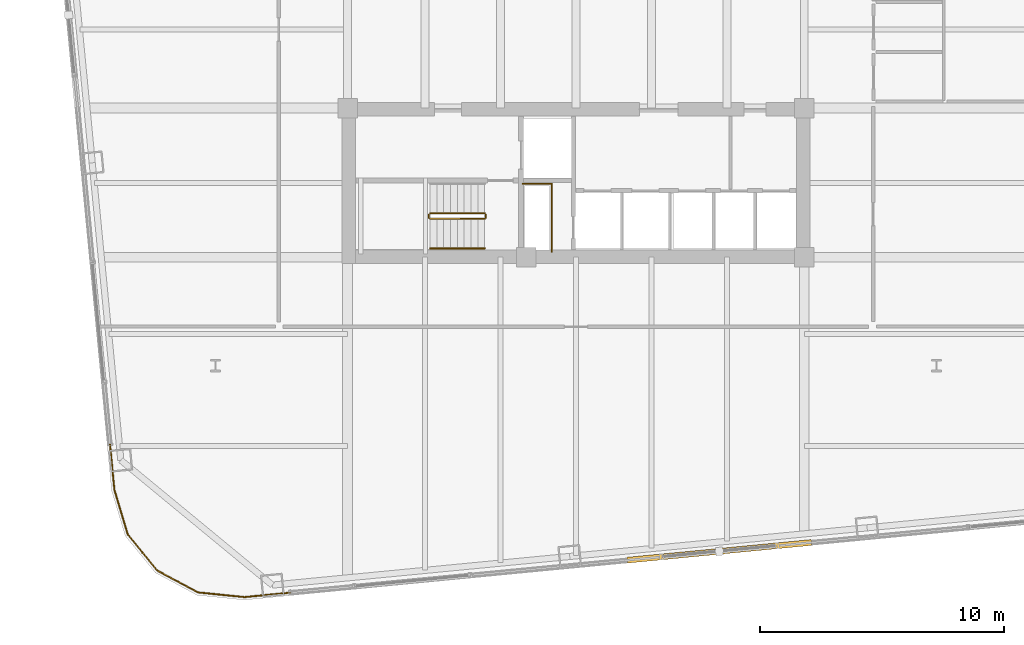
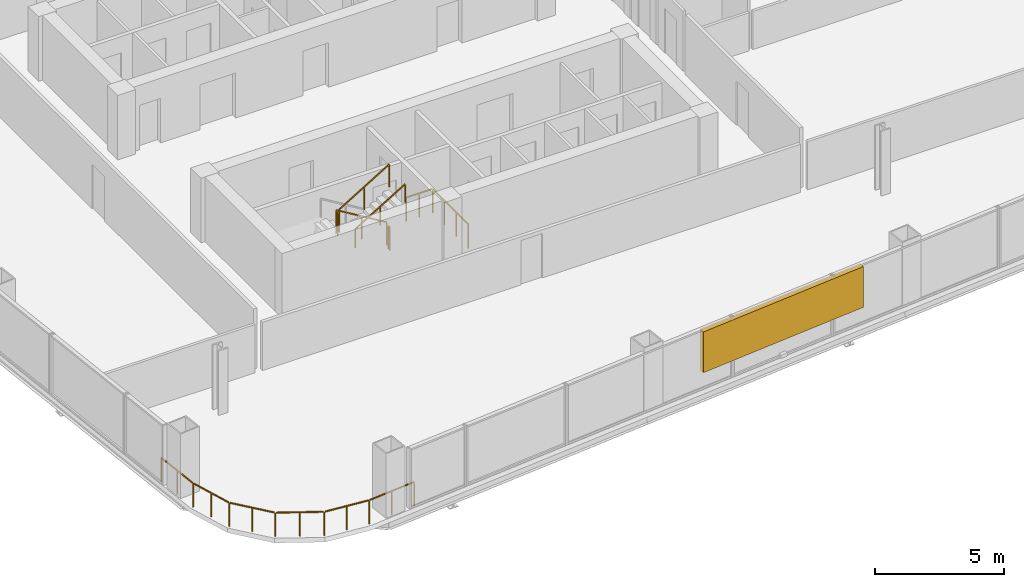
# One storey, part 25 of 27: 7 railings, 1 shading device.
"""IFC4 building model written with IfcOpenShell, lengths in metres."""

from ifc_helpers import new_model, si_unit, direction, frame, origin, origin_2d, place, context, subcontext, project, spatial, rectangle, extrude, material, type_object, element, save


model = new_model("IFC4")

# Units and contexts
model_context = context("Model", 3, precision=1e-05, world=origin(), true_north=direction((0.0, 1.0)))
body_context = subcontext(model_context, "Body", "Model", "MODEL_VIEW")
ifc_project = project(units=[si_unit("LENGTHUNIT", "METRE"), si_unit("AREAUNIT", "SQUARE_METRE"), si_unit("VOLUMEUNIT", "CUBIC_METRE"), si_unit("PLANEANGLEUNIT", "RADIAN"), si_unit("MASSUNIT", "GRAM", prefix="KILO")], contexts=[model_context])

# Site, building, storey
site_placement = place(None, origin())
site = spatial("IfcSite", under=ifc_project, at=site_placement, CompositionType="ELEMENT")
building_placement = place(site_placement, origin())
building = spatial("IfcBuilding", under=site, at=building_placement, Name="Qhalaya Broadcast Tower", CompositionType="ELEMENT")
storey_placement = place(building_placement, frame((0.0, 0.0, 75.550048828125)))
storey = spatial("IfcBuildingStorey", under=building, at=storey_placement, Name="L21", CompositionType="ELEMENT", Elevation=75.550048828125)

# Railings
ifc_material_1 = material(Name="Powder-Coated Galvanised Steel", Category="steel")
railing_type_1 = type_object("IfcRailingType", Name="Stair Wall Handrail 900", PredefinedType="HANDRAIL", material=ifc_material_1)
railing_1_placement = place(storey_placement, frame((-5.989990234375, -8.389892578125, 1.6943359375)))
element("IfcRailing", 1, at=railing_1_placement, inside=storey, type_object=railing_type_1, Name="L21 ST-2 Stair Handrail 2", PredefinedType="HANDRAIL", context=body_context, shape_type="SweptSolid", body=[
    extrude(rectangle(XDim=0.048095703125, YDim=0.048095703125, at=origin_2d()), frame((0.0, 0.0, 0.8759765625), z_axis=(0.855512035549, 0.0, 0.517782924622), x_axis=(0.0, 1.0, 0.0)), (0.0, 0.0, 1.0), 2.618408203125),
    extrude(rectangle(XDim=0.0419921875, YDim=0.0419921875, at=origin_2d()), origin(), (0.0, 0.0, 1.0), 0.849853515625),
    extrude(rectangle(XDim=0.0419921875, YDim=0.0419921875, at=origin_2d()), frame((1.1201171875, 0.0, 0.677734375)), (0.0, 0.0, 1.0), 0.849853515625),
    extrude(rectangle(XDim=0.0419921875, YDim=0.0419921875, at=origin_2d()), frame((2.239990234375, 0.0, 1.355712890625)), (0.0, 0.0, 1.0), 0.849853515625),
])
railing_type_2 = type_object("IfcRailingType", Name="Stair Well & Landing Guardrail 1100", PredefinedType="GUARDRAIL", material=ifc_material_1)
railing_2_placement = place(storey_placement, frame((-1.0, -8.52001953125, 0.0)))
element("IfcRailing", 2, at=railing_2_placement, inside=storey, type_object=railing_type_2, Name="L21 Service Riser Opening Safety Guard SRSR", PredefinedType="GUARDRAIL", context=body_context, shape_type="SweptSolid", body=[
    extrude(rectangle(XDim=0.048095703125, YDim=0.048095703125, at=origin_2d()), frame((0.0, 0.0, 1.1259765625), z_axis=(0.0, 1.0, 0.0), x_axis=(-1.0, 0.0, 0.0)), (0.0, 0.0, 1.0), 2.751220703125),
    extrude(rectangle(XDim=0.048095703125, YDim=0.048095703125, at=origin_2d()), frame((-0.02880859375, 2.780029296875, 1.1259765625), z_axis=(-1.0, 0.0, 0.0), x_axis=(0.0, -1.0, 0.0)), (0.0, 0.0, 1.0), 1.151123046875),
    extrude(rectangle(XDim=0.0419921875, YDim=0.0419921875, at=origin_2d()), origin(), (0.0, 0.0, 1.0), 1.099853515625),
    extrude(rectangle(XDim=0.0419921875, YDim=0.0419921875, at=origin_2d()), frame((0.0, 0.9267578125, 0.0)), (0.0, 0.0, 1.0), 1.099853515625),
    extrude(rectangle(XDim=0.0419921875, YDim=0.0419921875, at=origin_2d()), frame((0.0, 1.853271484375, 0.0)), (0.0, 0.0, 1.0), 1.099853515625),
    extrude(rectangle(XDim=0.0419921875, YDim=0.0419921875, at=origin_2d()), frame((0.0, 2.780029296875, 0.0)), (0.0, 0.0, 1.0), 1.099853515625),
    extrude(rectangle(XDim=0.0419921875, YDim=0.0419921875, at=origin_2d()), frame((-0.58984375, 2.780029296875, 0.0)), (0.0, 0.0, 1.0), 1.099853515625),
    extrude(rectangle(XDim=0.0419921875, YDim=0.0419921875, at=origin_2d()), frame((-1.179931640625, 2.780029296875, 0.0)), (0.0, 0.0, 1.0), 1.099853515625),
])
railing_3_placement = place(storey_placement, frame((-3.75, -6.949951171875, 0.16943359375)))
element("IfcRailing", 3, at=railing_3_placement, inside=storey, type_object=railing_type_2, Name="L21 ST-2 Stair Guard 1", PredefinedType="GUARDRAIL", context=body_context, shape_type="SweptSolid", body=[
    extrude(rectangle(XDim=0.048095703125, YDim=0.048095703125, at=origin_2d()), frame((0.0, 0.0, 1.076171875), z_axis=(-0.855553338991, 0.0, 0.51771467445), x_axis=(0.0, -1.0, 0.0)), (0.0, 0.0, 1.0), 2.6181640625),
    extrude(rectangle(XDim=0.0419921875, YDim=0.0419921875, at=origin_2d()), origin(), (0.0, 0.0, 1.0), 1.050048828125),
    extrude(rectangle(XDim=0.0419921875, YDim=0.0419921875, at=origin_2d()), frame((-1.1201171875, 0.0, 0.677734375)), (0.0, 0.0, 1.0), 1.050048828125),
    extrude(rectangle(XDim=0.0419921875, YDim=0.0419921875, at=origin_2d()), frame((-2.239990234375, 0.0, 1.35546875)), (0.0, 0.0, 1.0), 1.050048828125),
])
railing_4_placement = place(storey_placement, frame((-6.0400390625, -7.0, 1.52490234375)))
element("IfcRailing", 4, at=railing_4_placement, inside=storey, type_object=railing_type_2, Name="L21 ST-2 Stair Guard 2", PredefinedType="GUARDRAIL", context=body_context, shape_type="SweptSolid", body=[
    extrude(rectangle(XDim=0.048095703125, YDim=0.048095703125, at=origin_2d()), frame((0.0, 0.0, 1.076171875), z_axis=(0.0, -1.0, 0.0), x_axis=(1.0, 0.0, 0.0)), (0.0, 0.0, 1.0), 0.1201171875),
    extrude(rectangle(XDim=0.0419921875, YDim=0.0419921875, at=origin_2d()), origin(), (0.0, 0.0, 1.0), 1.050048828125),
    extrude(rectangle(XDim=0.0419921875, YDim=0.0419921875, at=origin_2d()), frame((0.0, -0.1201171875, 0.0)), (0.0, 0.0, 1.0), 1.050048828125),
])
railing_5_placement = place(storey_placement, frame((-5.989990234375, -7.169921875, 1.6943359375)))
element("IfcRailing", 5, at=railing_5_placement, inside=storey, type_object=railing_type_2, Name="L21 ST-2 Stair Guard 3", PredefinedType="GUARDRAIL", context=body_context, shape_type="SweptSolid", body=[
    extrude(rectangle(XDim=0.048095703125, YDim=0.048095703125, at=origin_2d()), frame((0.0, 0.0, 1.076171875), z_axis=(0.855512035549, 0.0, 0.517782924622), x_axis=(0.0, 1.0, 0.0)), (0.0, 0.0, 1.0), 2.618408203125),
    extrude(rectangle(XDim=0.0419921875, YDim=0.0419921875, at=origin_2d()), origin(), (0.0, 0.0, 1.0), 1.050048828125),
    extrude(rectangle(XDim=0.0419921875, YDim=0.0419921875, at=origin_2d()), frame((1.1201171875, 0.0, 0.677734375)), (0.0, 0.0, 1.0), 1.050048828125),
    extrude(rectangle(XDim=0.0419921875, YDim=0.0419921875, at=origin_2d()), frame((2.239990234375, 0.0, 1.355712890625)), (0.0, 0.0, 1.0), 1.050048828125),
])
railing_6_placement = place(storey_placement, frame((-3.699951171875, -7.0, 0.0)))
element("IfcRailing", 6, at=railing_6_placement, inside=storey, type_object=railing_type_2, Name="L21 ST-2 Stair Guard 4", PredefinedType="GUARDRAIL", context=body_context, shape_type="SweptSolid", body=[
    extrude(rectangle(XDim=0.048095703125, YDim=0.048095703125, at=origin_2d()), frame((0.0, 0.0, 1.076171875), z_axis=(0.0, -1.0, 0.0), x_axis=(1.0, 0.0, 0.0)), (0.0, 0.0, 1.0), 0.1201171875),
    extrude(rectangle(XDim=0.0419921875, YDim=0.0419921875, at=origin_2d()), origin(), (0.0, 0.0, 1.0), 1.050048828125),
    extrude(rectangle(XDim=0.0419921875, YDim=0.0419921875, at=origin_2d()), frame((0.0, -0.1201171875, 0.0)), (0.0, 0.0, 1.0), 1.050048828125),
])
railing_type_3 = type_object("IfcRailingType", Name="Terrace, Sky-Pool & Lookout Glass Balustrade 1150", PredefinedType="BALUSTRADE", material=ifc_material_1)
railing_7_placement = place(storey_placement, frame((-11.50341796875, -22.501708984375, 0.0)))
element("IfcRailing", 7, at=railing_7_placement, inside=storey, type_object=railing_type_3, Name="L21 Rounded Corner Perimeter Guard 02", PredefinedType="BALUSTRADE", context=body_context, shape_type="SweptSolid", body=[
    extrude(rectangle(XDim=0.048095703125, YDim=0.048095703125, at=origin_2d()), frame((0.0, 0.0, 1.1259765625), z_axis=(-0.995402268864, -0.095782687057, 0.0), x_axis=(0.095782687057, -0.995402268864, 0.0)), (0.0, 0.0, 1.0), 2.08935546875),
    extrude(rectangle(XDim=0.048095703125, YDim=0.048095703125, at=origin_2d()), frame((-2.13720703125, -0.199951171875, 1.1259765625), z_axis=(-0.994978953282, 0.100084377028, 0.0), x_axis=(-0.100084377028, -0.994978953282, 0.0)), (0.0, 0.0, 1.0), 1.857177734375),
    extrude(rectangle(XDim=0.048095703125, YDim=0.048095703125, at=origin_2d()), frame((-4.0390625, 0.00244140625, 1.1259765625), z_axis=(-0.880907290044, 0.473288861424, 0.0), x_axis=(-0.473288861424, -0.880907290044, 0.0)), (0.0, 0.0, 1.0), 1.845703125),
    extrude(rectangle(XDim=0.048095703125, YDim=0.048095703125, at=origin_2d()), frame((-5.708740234375, 0.912109375, 1.1259765625), z_axis=(-0.632671796541, 0.774420039683, 0.0), x_axis=(-0.774420039683, -0.632671796541, 0.0)), (0.0, 0.0, 1.0), 1.845458984375),
    extrude(rectangle(XDim=0.048095703125, YDim=0.048095703125, at=origin_2d()), frame((-6.90283203125, 2.39111328125, 1.1259765625), z_axis=(-0.288213171456, 0.95756627332, 0.0), x_axis=(-0.95756627332, -0.288213171456, 0.0)), (0.0, 0.0, 1.0), 1.857421875),
    extrude(rectangle(XDim=0.048095703125, YDim=0.048095703125, at=origin_2d()), frame((-7.44921875, 4.226318359375, 1.1259765625), z_axis=(-0.095782687057, 0.995402268864, 0.0), x_axis=(-0.995402268864, -0.095782687057, 0.0)), (0.0, 0.0, 1.0), 2.08935546875),
    extrude(rectangle(XDim=0.0419921875, YDim=0.0419921875, at=origin_2d()), origin(), (0.0, 0.0, 1.0), 1.099853515625),
    extrude(rectangle(XDim=0.0419921875, YDim=0.0419921875, at=origin_2d()), frame((-1.05419921875, -0.1015625, 0.0)), (0.0, 0.0, 1.0), 1.099853515625),
    extrude(rectangle(XDim=0.0419921875, YDim=0.0419921875, at=origin_2d()), frame((-2.1083984375, -0.202880859375, 0.0)), (0.0, 0.0, 1.0), 1.099853515625),
    extrude(rectangle(XDim=0.0419921875, YDim=0.0419921875, at=origin_2d()), frame((-3.06103515625, -0.10693359375, 0.0)), (0.0, 0.0, 1.0), 1.099853515625),
    extrude(rectangle(XDim=0.0419921875, YDim=0.0419921875, at=origin_2d()), frame((-4.013671875, -0.01123046875, 0.0)), (0.0, 0.0, 1.0), 1.099853515625),
    extrude(rectangle(XDim=0.0419921875, YDim=0.0419921875, at=origin_2d()), frame((-4.85205078125, 0.439208984375, 0.0)), (0.0, 0.0, 1.0), 1.099853515625),
    extrude(rectangle(XDim=0.0419921875, YDim=0.0419921875, at=origin_2d()), frame((-5.6904296875, 0.8896484375, 0.0)), (0.0, 0.0, 1.0), 1.099853515625),
    extrude(rectangle(XDim=0.0419921875, YDim=0.0419921875, at=origin_2d()), frame((-6.29248046875, 1.62646484375, 0.0)), (0.0, 0.0, 1.0), 1.099853515625),
    extrude(rectangle(XDim=0.0419921875, YDim=0.0419921875, at=origin_2d()), frame((-6.89453125, 2.363525390625, 0.0)), (0.0, 0.0, 1.0), 1.099853515625),
    extrude(rectangle(XDim=0.0419921875, YDim=0.0419921875, at=origin_2d()), frame((-7.17041015625, 3.280517578125, 0.0)), (0.0, 0.0, 1.0), 1.099853515625),
    extrude(rectangle(XDim=0.0419921875, YDim=0.0419921875, at=origin_2d()), frame((-7.446533203125, 4.197509765625, 0.0)), (0.0, 0.0, 1.0), 1.099853515625),
    extrude(rectangle(XDim=0.0419921875, YDim=0.0419921875, at=origin_2d()), frame((-7.5478515625, 5.251708984375, 0.0)), (0.0, 0.0, 1.0), 1.099853515625),
    extrude(rectangle(XDim=0.0419921875, YDim=0.0419921875, at=origin_2d()), frame((-7.6494140625, 6.305908203125, 0.0)), (0.0, 0.0, 1.0), 1.099853515625),
])

# Shading device
ifc_material_2 = material(Name="Fired Architectural Terracotta", Category="masonry")
shading_device_type = type_object("IfcShadingDeviceType", Name="Terracotta Baguette Solar Screen Assembly TBS-01", PredefinedType="USERDEFINED", material=ifc_material_2)
shading_device_placement = place(storey_placement, frame((5.88623046875, -20.827392578125, 0.79248046875), z_axis=(0.0, 0.0, 1.0), x_axis=(0.995396198367, 0.09584575252, 0.0)))
element("IfcShadingDevice", 8, at=shading_device_placement, inside=storey, type_object=shading_device_type, Name="L21 Fired Terracotta Baguette Screen S", ObjectType="BAGUETTE", PredefinedType="USERDEFINED", context=body_context, shape_type="SweptSolid", body=[
    extrude(rectangle(XDim=7.60009765625, YDim=0.239990234375, at=origin_2d()), origin(), (0.0, 0.0, 1.0), 1.924072265625),
])

save(model, "model.ifc")
